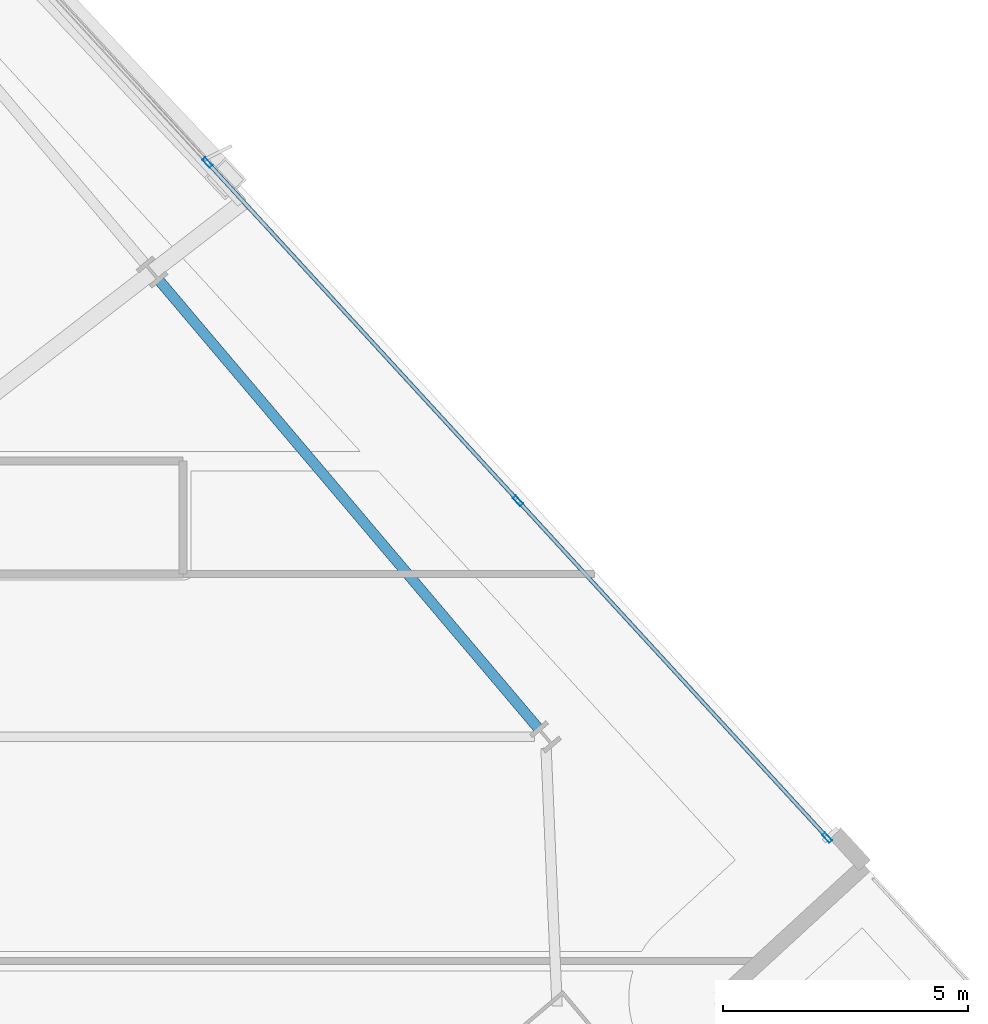
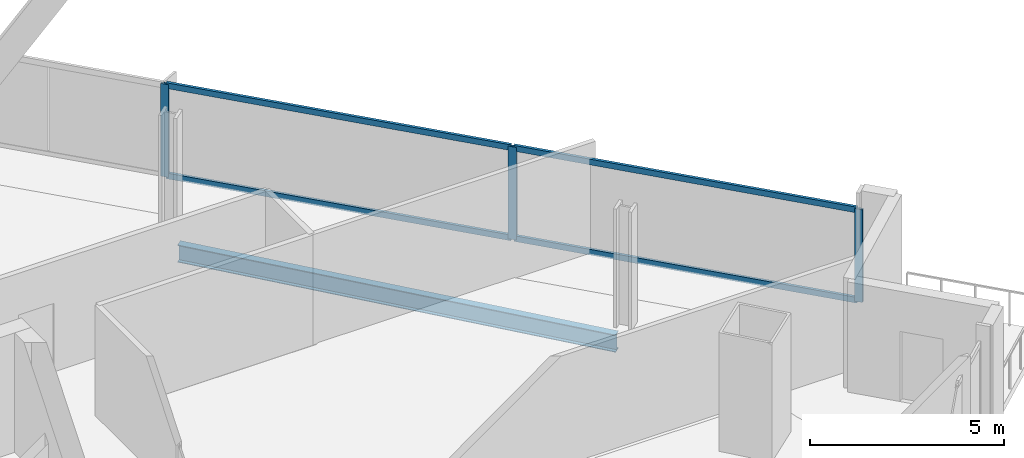
# One storey, part 20 of 32: 7 members, 1 beam, 1 element without a shape of its own.
"""IFC4 building model written with IfcOpenShell, lengths in metres."""

from ifc_helpers import new_model, si_unit, direction, frame, origin, origin_2d, place, context, subcontext, project, spatial, hollow_rectangle, i_section, extrude, material, material_profile, profile_set, type_object, element, aggregate, save


model = new_model("IFC4")

# Units and contexts
model_context = context("Model", 3, precision=1e-05, world=origin(), true_north=direction((0.0, 1.0)))
body_context = subcontext(model_context, "Body", "Model", "MODEL_VIEW")
ifc_project = project(units=[si_unit("LENGTHUNIT", "METRE"), si_unit("AREAUNIT", "SQUARE_METRE"), si_unit("VOLUMEUNIT", "CUBIC_METRE"), si_unit("PLANEANGLEUNIT", "RADIAN"), si_unit("MASSUNIT", "GRAM", prefix="KILO")], contexts=[model_context])

# Site, building, storey
site_placement = place(None, origin())
site = spatial("IfcSite", under=ifc_project, at=site_placement, CompositionType="ELEMENT")
building_placement = place(site_placement, origin())
building = spatial("IfcBuilding", under=site, at=building_placement, Name="Haldenkirk Collegiate Tower", CompositionType="ELEMENT")
storey_placement = place(building_placement, frame((0.0, 0.0, 170.699951171875)))
storey = spatial("IfcBuildingStorey", under=building, at=storey_placement, Name="L42", CompositionType="ELEMENT", Elevation=170.699951171875)

# Beam
ifc_material_1 = material(Name="Steel ASTM A992 Grade 50", Category="steel")
ifc_material_profile_1 = material_profile(ifc_material_1, i_section(OverallWidth=0.2119140625, OverallDepth=0.5439453125, WebThickness=0.01318359375, FlangeThickness=0.021240234375, at=origin_2d()), Name="W21X83")
ifc_profile_set_1 = profile_set([ifc_material_profile_1], Name="Steel ASTM A992 Grade 50")
beam_type = type_object("IfcBeamType", Name="BM-SPANDREL-W21X83", PredefinedType="SPANDREL", material=ifc_profile_set_1)
beam_placement = place(storey_placement, frame((61.051513671875, 30.998779296875, -0.56201171875), z_axis=(-0.646116898468, 0.763238464383, 0.0), x_axis=(-0.763238464383, -0.646116898468, 0.0)))
element("IfcBeam", 1, at=beam_placement, inside=storey, type_object=beam_type, Name="L42 perimeter spandrel beam 06", PredefinedType="SPANDREL", context=body_context, shape_type="SweptSolid", body=[
    extrude(i_section(OverallWidth=0.2119140625, OverallDepth=0.5439453125, WebThickness=0.01318359375, FlangeThickness=0.021240234375, at=origin_2d()), origin(), (0.0, 0.0, 1.0), 11.967041015625),
])

# Curtain wall, members
ifc_material_2 = material(Name="Anodised architectural bronze aluminium", Category="aluminium")
curtain_wall_type = type_object("IfcCurtainWallType", Name="CW-SYS1-CONVEX-LOW", PredefinedType="USERDEFINED", material=ifc_material_2)
curtain_wall_placement = place(storey_placement, origin())
curtain_wall = element("IfcCurtainWall", 2, at=curtain_wall_placement, inside=storey, type_object=curtain_wall_type, Name="L42 Lower tower convex bronze-framed unitised curtain wall", ObjectType="UNITISED CURTAIN WALL", PredefinedType="USERDEFINED")
ifc_material_profile_2 = material_profile(ifc_material_2, hollow_rectangle(XDim=0.080078125, YDim=0.219970703125, WallThickness=0.0048828125, at=origin_2d()), Name="CW-MUL-1A")
ifc_profile_set_2 = profile_set([ifc_material_profile_2], Name="Anodised architectural bronze aluminium")
member_type_1 = type_object("IfcMemberType", Name="CW-MUL-1A", PredefinedType="MULLION", material=ifc_profile_set_2)
member_1_placement = place(storey_placement, frame((54.30078125, 42.544677734375, 0.0), z_axis=(0.0, 0.0, 1.0), x_axis=(0.736687198604, 0.676233666282, 0.0)))
member_1 = element("IfcMember", 3, at=member_1_placement, type_object=member_type_1, Name="CW-1A mullion 3", PredefinedType="MULLION", context=body_context, shape_type="SweptSolid", body=[
    extrude(hollow_rectangle(XDim=0.080078125, YDim=0.219970703125, WallThickness=0.0048828125, at=origin_2d()), origin(), (0.0, 0.0, 1.0), 2.9111328125),
])
member_2_placement = place(storey_placement, frame((60.63623046875, 35.642822265625, 0.0), z_axis=(0.0, 0.0, 1.0), x_axis=(0.736687198604, 0.676233666282, 0.0)))
member_2 = element("IfcMember", 4, at=member_2_placement, type_object=member_type_1, Name="CW-1A mullion 4", PredefinedType="MULLION", context=body_context, shape_type="SweptSolid", body=[
    extrude(hollow_rectangle(XDim=0.080078125, YDim=0.219970703125, WallThickness=0.0048828125, at=origin_2d()), origin(), (0.0, 0.0, 1.0), 2.9111328125),
])
member_3_placement = place(storey_placement, frame((66.94482421875, 28.770263671875, 0.0), z_axis=(0.0, 0.0, 1.0), x_axis=(0.736687198604, 0.676233666282, 0.0)))
member_3 = element("IfcMember", 5, at=member_3_placement, type_object=member_type_1, Name="CW-1A mullion 5", PredefinedType="MULLION", context=body_context, shape_type="SweptSolid", body=[
    extrude(hollow_rectangle(XDim=0.080078125, YDim=0.219970703125, WallThickness=0.0048828125, at=origin_2d()), origin(), (0.0, 0.0, 1.0), 2.9111328125),
])
ifc_material_profile_3 = material_profile(ifc_material_2, hollow_rectangle(XDim=0.080078125, YDim=0.179931640625, WallThickness=0.0048828125, at=origin_2d()), Name="CW-TRN-1A")
ifc_profile_set_3 = profile_set([ifc_material_profile_3], Name="Anodised architectural bronze aluminium")
member_type_2 = type_object("IfcMemberType", Name="CW-TRN-1A", PredefinedType="USERDEFINED", material=ifc_profile_set_3)
member_4_placement = place(storey_placement, frame((54.327880859375, 42.51513671875, 0.0400390625), z_axis=(0.676235050701, -0.73668592779, 0.0), x_axis=(0.73668592779, 0.676235050701, 0.0)))
member_4 = element("IfcMember", 6, at=member_4_placement, type_object=member_type_2, Name="CW-1A transom 3.1", ObjectType="TRANSOM", PredefinedType="USERDEFINED", context=body_context, shape_type="SweptSolid", body=[
    extrude(hollow_rectangle(XDim=0.080078125, YDim=0.179931640625, WallThickness=0.0048828125, at=origin_2d()), origin(), (0.0, 0.0, 1.0), 9.288818359375),
])
member_5_placement = place(storey_placement, frame((54.327880859375, 42.51513671875, 2.87109375), z_axis=(0.676235050701, -0.73668592779, 0.0), x_axis=(0.73668592779, 0.676235050701, 0.0)))
member_5 = element("IfcMember", 7, at=member_5_placement, type_object=member_type_2, Name="CW-1A transom 3.2", ObjectType="TRANSOM", PredefinedType="USERDEFINED", context=body_context, shape_type="SweptSolid", body=[
    extrude(hollow_rectangle(XDim=0.080078125, YDim=0.179931640625, WallThickness=0.0048828125, at=origin_2d()), origin(), (0.0, 0.0, 1.0), 9.288818359375),
])
member_6_placement = place(storey_placement, frame((60.663330078125, 35.61328125, 0.0400390625), z_axis=(0.6762360678, -0.736684994151, 0.0), x_axis=(0.736684994151, 0.6762360678, 0.0)))
member_6 = element("IfcMember", 8, at=member_6_placement, type_object=member_type_2, Name="CW-1A transom 4.1", ObjectType="TRANSOM", PredefinedType="USERDEFINED", context=body_context, shape_type="SweptSolid", body=[
    extrude(hollow_rectangle(XDim=0.080078125, YDim=0.179931640625, WallThickness=0.0048828125, at=origin_2d()), origin(), (0.0, 0.0, 1.0), 9.248779296875),
])
member_7_placement = place(storey_placement, frame((60.663330078125, 35.61328125, 2.87109375), z_axis=(0.6762360678, -0.736684994151, 0.0), x_axis=(0.736684994151, 0.6762360678, 0.0)))
member_7 = element("IfcMember", 9, at=member_7_placement, type_object=member_type_2, Name="CW-1A transom 4.2", ObjectType="TRANSOM", PredefinedType="USERDEFINED", context=body_context, shape_type="SweptSolid", body=[
    extrude(hollow_rectangle(XDim=0.080078125, YDim=0.179931640625, WallThickness=0.0048828125, at=origin_2d()), origin(), (0.0, 0.0, 1.0), 9.248779296875),
])
aggregate(curtain_wall, [member_1, member_2, member_3, member_4, member_5, member_6, member_7])

save(model, "model.ifc")
